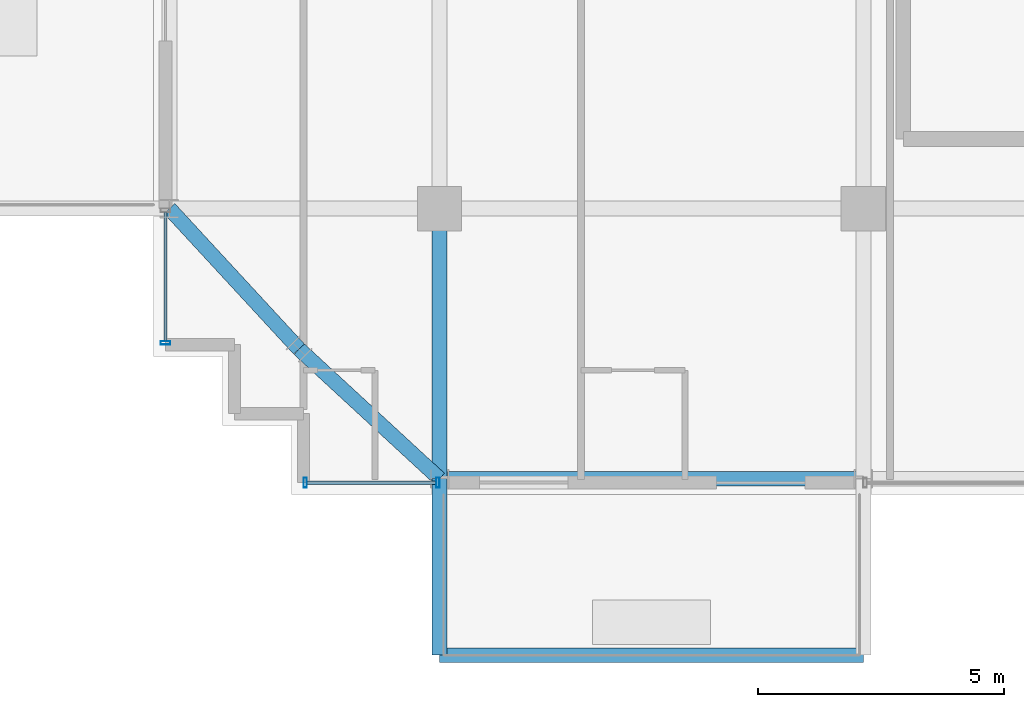
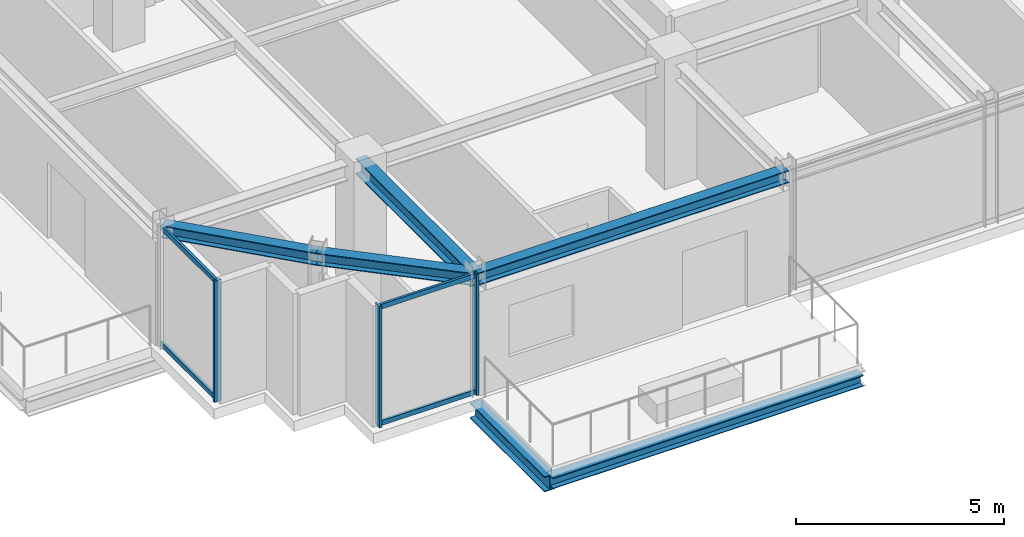
# One storey, part 4 of 37: 7 members, 6 beams, 2 elements without a shape of their own.
"""IFC4 building model written with IfcOpenShell, lengths in metres."""

from ifc_helpers import new_model, si_unit, direction, frame, origin, origin_2d, place, context, subcontext, project, spatial, hollow_rectangle, i_section, extrude, source, transform, mapped, material, material_profile, profile_set, type_object, element, aggregate, save


model = new_model("IFC4")

# Units and contexts
model_context = context("Model", 3, precision=1e-05, world=origin(), true_north=direction((0.0, 1.0)))
body_context = subcontext(model_context, "Body", "Model", "MODEL_VIEW")
ifc_project = project(units=[si_unit("LENGTHUNIT", "METRE"), si_unit("AREAUNIT", "SQUARE_METRE"), si_unit("VOLUMEUNIT", "CUBIC_METRE"), si_unit("PLANEANGLEUNIT", "RADIAN"), si_unit("MASSUNIT", "GRAM", prefix="KILO")], contexts=[model_context])

# Site, building, storey
site_placement = place(None, origin())
site = spatial("IfcSite", under=ifc_project, at=site_placement, CompositionType="ELEMENT")
building_placement = place(site_placement, origin())
building = spatial("IfcBuilding", under=site, at=building_placement, Name="Nahalor Promenade Grand Hotel", CompositionType="ELEMENT")
storey_placement = place(building_placement, frame((0.0, 0.0, 308.050048828125)))
storey = spatial("IfcBuildingStorey", under=building, at=storey_placement, Name="L79", CompositionType="ELEMENT", Elevation=308.050048828125)

# Beams
ifc_material_1 = material(Name="Steel S355JR", Category="steel")
ifc_material_profile_1 = material_profile(ifc_material_1, i_section(OverallWidth=0.3, OverallDepth=0.32, WebThickness=0.0115, FlangeThickness=0.0205, at=origin_2d()), Name="HEB 320")
ifc_profile_set_1 = profile_set([ifc_material_profile_1], Name="Steel S355JR")
beam_type_1 = type_object("IfcBeamType", Name="Beam-BalcEdge-HEB320", PredefinedType="SPANDREL", material=ifc_profile_set_1)
shared_shape_1 = source(origin(), body_context, "Body", "SweptSolid", [
    extrude(i_section(OverallWidth=0.3, OverallDepth=0.32, WebThickness=0.0115, FlangeThickness=0.0205, at=origin_2d()), origin(), (0.0, 0.0, 1.0), 8.60009765625),
])
beam_1_placement = place(storey_placement, frame((-17.0, -26.06005859375, -0.43994140625), z_axis=(1.0, 0.0, 0.0), x_axis=(0.0, 1.0, 0.0)))
element("IfcBeam", 1, at=beam_1_placement, inside=storey, type_object=beam_type_1, Name="BM-L79-BC-01-F", PredefinedType="SPANDREL", context=body_context, shape_type="MappedRepresentation", body=[
    mapped(shared_shape_1, transform((0.0, 0.0, 0.0), scale=1.0)),
])
ifc_material_profile_2 = material_profile(ifc_material_1, i_section(OverallWidth=0.3, OverallDepth=0.45, WebThickness=0.014, FlangeThickness=0.026, at=origin_2d()), Name="HEB 450")
ifc_profile_set_2 = profile_set([ifc_material_profile_2], Name="Steel S355JR")
beam_type_2 = type_object("IfcBeamType", Name="Beam-Outrigger-HEB450", PredefinedType="BEAM", material=ifc_profile_set_2)
shared_shape_2 = source(origin(), body_context, "Body", "SweptSolid", [
    extrude(i_section(OverallWidth=0.3, OverallDepth=0.45, WebThickness=0.014, FlangeThickness=0.026, at=origin_2d()), origin(), (0.0, 0.0, 1.0), 3.580078125),
])
beam_2_placement = place(storey_placement, frame((-17.0, -26.06005859375, -0.505126953125), z_axis=(0.0, 1.0, 0.0), x_axis=(-1.0, 0.0, 0.0)))
element("IfcBeam", 2, at=beam_2_placement, inside=storey, type_object=beam_type_2, Name="BM-L79-BC-01-1", PredefinedType="BEAM", context=body_context, shape_type="MappedRepresentation", body=[
    mapped(shared_shape_2, transform((0.0, 0.0, 0.0), scale=1.0)),
])
ifc_material_profile_3 = material_profile(ifc_material_1, i_section(OverallWidth=0.3, OverallDepth=0.45, WebThickness=0.014, FlangeThickness=0.026, at=origin_2d()), Name="HEB 450")
ifc_profile_set_3 = profile_set([ifc_material_profile_3], Name="Steel S355JR")
beam_type_3 = type_object("IfcBeamType", Name="Beam-Girder-HEB450", PredefinedType="BEAM", material=ifc_profile_set_3)
shared_shape_3 = source(origin(), body_context, "Body", "SweptSolid", [
    extrude(i_section(OverallWidth=0.3, OverallDepth=0.45, WebThickness=0.014, FlangeThickness=0.026, at=origin_2d()), origin(), (0.0, 0.0, 1.0), 5.47998046875),
])
beam_3_placement = place(storey_placement, frame((-17.0, -22.47998046875, 3.324951171875), z_axis=(0.0, 1.0, 0.0), x_axis=(-1.0, 0.0, 0.0)))
element("IfcBeam", 3, at=beam_3_placement, inside=storey, type_object=beam_type_3, Name="BM-L79-GY-0-0", PredefinedType="BEAM", context=body_context, shape_type="MappedRepresentation", body=[
    mapped(shared_shape_3, transform((0.0, 0.0, 0.0), scale=1.0)),
])
ifc_material_profile_4 = material_profile(ifc_material_1, i_section(OverallWidth=0.3, OverallDepth=0.36, WebThickness=0.0125, FlangeThickness=0.0225, at=origin_2d()), Name="HEB 360")
ifc_profile_set_4 = profile_set([ifc_material_profile_4], Name="Steel S355JR")
beam_type_4 = type_object("IfcBeamType", Name="Beam-Spandrel-HEB360", PredefinedType="SPANDREL", material=ifc_profile_set_4)
shared_shape_4 = source(origin(), body_context, "Body", "SweptSolid", [
    extrude(i_section(OverallWidth=0.3, OverallDepth=0.36, WebThickness=0.0125, FlangeThickness=0.0225, at=origin_2d()), origin(), (0.0, 0.0, 1.0), 8.60009765625),
])
beam_4_placement = place(storey_placement, frame((-17.0, -22.47998046875, 3.369873046875), z_axis=(1.0, 0.0, 0.0), x_axis=(0.0, 1.0, 0.0)))
element("IfcBeam", 4, at=beam_4_placement, inside=storey, type_object=beam_type_4, Name="BM-L79-SP-S-0", PredefinedType="SPANDREL", context=body_context, shape_type="MappedRepresentation", body=[
    mapped(shared_shape_4, transform((0.0, 0.0, 0.0), scale=1.0)),
])
shared_shape_5 = source(origin(), body_context, "Body", "SweptSolid", [
    extrude(i_section(OverallWidth=0.3, OverallDepth=0.36, WebThickness=0.0125, FlangeThickness=0.0225, at=origin_2d()), origin(), (0.0, 0.0, 1.0), 3.878173828125),
])
for number, where, z_axis, x_axis, name in (
    (5, (-17.0, -22.47998046875, 3.369873046875), (-0.73492893846, 0.678144125843, 0.0), (-0.678144125843, -0.73492893846, 0.0), "BM-L79-SPC-SW-1"),
    (6, (-19.85009765625, -19.85009765625, 3.369873046875), (-0.678144125843, 0.73492893846, 0.0), (-0.73492893846, -0.678144125843, 0.0), "BM-L79-SPC-SW-2"),
):
    element("IfcBeam", number, at=place(storey_placement, frame(where, z_axis=z_axis, x_axis=x_axis)), inside=storey, type_object=beam_type_4, Name=name, PredefinedType="SPANDREL", context=body_context, shape_type="MappedRepresentation", body=[
        mapped(shared_shape_5, transform((0.0, 0.0, 0.0), scale=1.0)),
    ])

# Curtain wall, members
ifc_material_2 = material(Name="Anodised Bronze Aluminium EN AW-6063 T6", Category="aluminium")
curtain_wall_type = type_object("IfcCurtainWallType", Name="CW3 Elliptical-Void Collar Unitised Curtain Wall", PredefinedType="USERDEFINED", material=ifc_material_2)
curtain_wall_1_placement = place(storey_placement, origin())
curtain_wall_1 = element("IfcCurtainWall", 7, at=curtain_wall_1_placement, inside=storey, type_object=curtain_wall_type, Name="L79 Curtain Wall CW-L79-S-1", ObjectType="UNITISED_CURTAIN_WALL", PredefinedType="USERDEFINED")
ifc_material_profile_5 = material_profile(ifc_material_2, hollow_rectangle(XDim=0.07, YDim=0.14, WallThickness=0.004, at=origin_2d()), Name="CWT 70x140x4")
ifc_profile_set_5 = profile_set([ifc_material_profile_5], Name="Anodised Bronze Aluminium EN AW-6063 T6")
member_type_1 = type_object("IfcMemberType", Name="CWT3 Void Collar Transom 70x140", PredefinedType="USERDEFINED", material=ifc_profile_set_5)
shared_shape_6 = source(origin(), body_context, "Body", "SweptSolid", [
    extrude(hollow_rectangle(XDim=0.07, YDim=0.14, WallThickness=0.004, at=origin_2d()), origin(), (0.0, 0.0, 1.0), 2.619873046875),
])
member_1_placement = place(storey_placement, frame((-19.68994140625, -22.56005859375, 0.070068359375), z_axis=(1.0, 0.0, 0.0), x_axis=(0.0, 1.0, 0.0)))
member_1 = element("IfcMember", 8, at=member_1_placement, type_object=member_type_1, Name="CW-L79-S-1 Transom 0-0", ObjectType="TRANSOM", PredefinedType="USERDEFINED", context=body_context, shape_type="MappedRepresentation", body=[
    mapped(shared_shape_6, transform((0.0, 0.0, 0.0), scale=1.0)),
])
member_2_placement = place(storey_placement, frame((-19.68994140625, -22.56005859375, 3.47998046875), z_axis=(1.0, 0.0, 0.0), x_axis=(0.0, 1.0, 0.0)))
member_2 = element("IfcMember", 9, at=member_2_placement, type_object=member_type_1, Name="CW-L79-S-1 Transom 0-1", ObjectType="TRANSOM", PredefinedType="USERDEFINED", context=body_context, shape_type="MappedRepresentation", body=[
    mapped(shared_shape_6, transform((0.0, 0.0, 0.0), scale=1.0)),
])

curtain_wall_2_placement = place(storey_placement, origin())
curtain_wall_2 = element("IfcCurtainWall", 10, at=curtain_wall_2_placement, inside=storey, type_object=curtain_wall_type, Name="L79 Curtain Wall CW-L79-W-1", ObjectType="UNITISED_CURTAIN_WALL", PredefinedType="USERDEFINED")
member_3_placement = place(storey_placement, frame((-22.56005859375, -19.68994140625, 0.070068359375), z_axis=(0.0, 1.0, 0.0), x_axis=(-1.0, 0.0, 0.0)))
member_3 = element("IfcMember", 11, at=member_3_placement, type_object=member_type_1, Name="CW-L79-W-1 Transom 0-0", ObjectType="TRANSOM", PredefinedType="USERDEFINED", context=body_context, shape_type="MappedRepresentation", body=[
    mapped(shared_shape_6, transform((0.0, 0.0, 0.0), scale=1.0)),
])
member_4_placement = place(storey_placement, frame((-22.56005859375, -19.68994140625, 3.47998046875), z_axis=(0.0, 1.0, 0.0), x_axis=(-1.0, 0.0, 0.0)))
member_4 = element("IfcMember", 12, at=member_4_placement, type_object=member_type_1, Name="CW-L79-W-1 Transom 0-1", ObjectType="TRANSOM", PredefinedType="USERDEFINED", context=body_context, shape_type="MappedRepresentation", body=[
    mapped(shared_shape_6, transform((0.0, 0.0, 0.0), scale=1.0)),
])

# Member
ifc_material_profile_6 = material_profile(ifc_material_2, hollow_rectangle(XDim=0.07, YDim=0.2, WallThickness=0.005, at=origin_2d()), Name="CWM 70x200x5")
ifc_profile_set_6 = profile_set([ifc_material_profile_6], Name="Anodised Bronze Aluminium EN AW-6063 T6")
member_type_2 = type_object("IfcMemberType", Name="CWM3 Void Collar Mullion 70x200", PredefinedType="MULLION", material=ifc_profile_set_6)
shared_shape_7 = source(origin(), body_context, "Body", "SweptSolid", [
    extrude(hollow_rectangle(XDim=0.07, YDim=0.2, WallThickness=0.005, at=origin_2d()), origin(), (0.0, 0.0, 1.0), 3.550048828125),
])
member_5_placement = place(storey_placement, frame((-19.72509765625, -22.56005859375, 0.0), z_axis=(0.0, 0.0, 1.0), x_axis=(1.0, 0.0, 0.0)))
member_5 = element("IfcMember", 13, at=member_5_placement, type_object=member_type_2, Name="CW-L79-S-1 Mullion 0", PredefinedType="MULLION", context=body_context, shape_type="MappedRepresentation", body=[
    mapped(shared_shape_7, transform((0.0, 0.0, 0.0), scale=1.0)),
])

member_6_placement = place(storey_placement, frame((-17.034912109375, -22.56005859375, 0.0), z_axis=(0.0, 0.0, 1.0), x_axis=(1.0, 0.0, 0.0)))
member_6 = element("IfcMember", 14, at=member_6_placement, type_object=member_type_2, Name="CW-L79-S-1 Mullion 1", PredefinedType="MULLION", context=body_context, shape_type="MappedRepresentation", body=[
    mapped(shared_shape_7, transform((0.0, 0.0, 0.0), scale=1.0)),
])

aggregate(curtain_wall_1, [member_5, member_6, member_1, member_2])

member_7_placement = place(storey_placement, frame((-22.56005859375, -19.72509765625, 0.0), z_axis=(0.0, 0.0, 1.0), x_axis=(0.0, 1.0, 0.0)))
member_7 = element("IfcMember", 15, at=member_7_placement, type_object=member_type_2, Name="CW-L79-W-1 Mullion 0", PredefinedType="MULLION", context=body_context, shape_type="MappedRepresentation", body=[
    mapped(shared_shape_7, transform((0.0, 0.0, 0.0), scale=1.0)),
])

aggregate(curtain_wall_2, [member_7, member_3, member_4])

save(model, "model.ifc")
